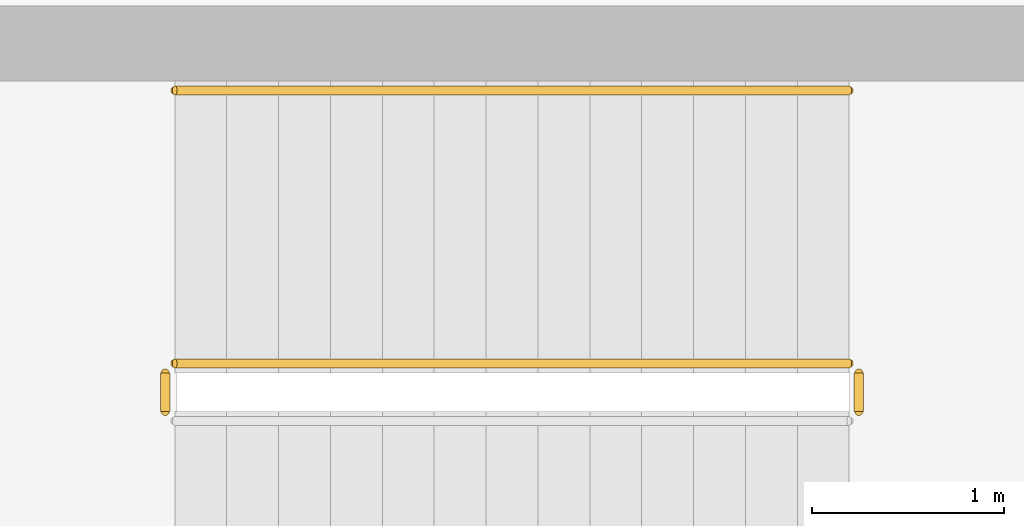
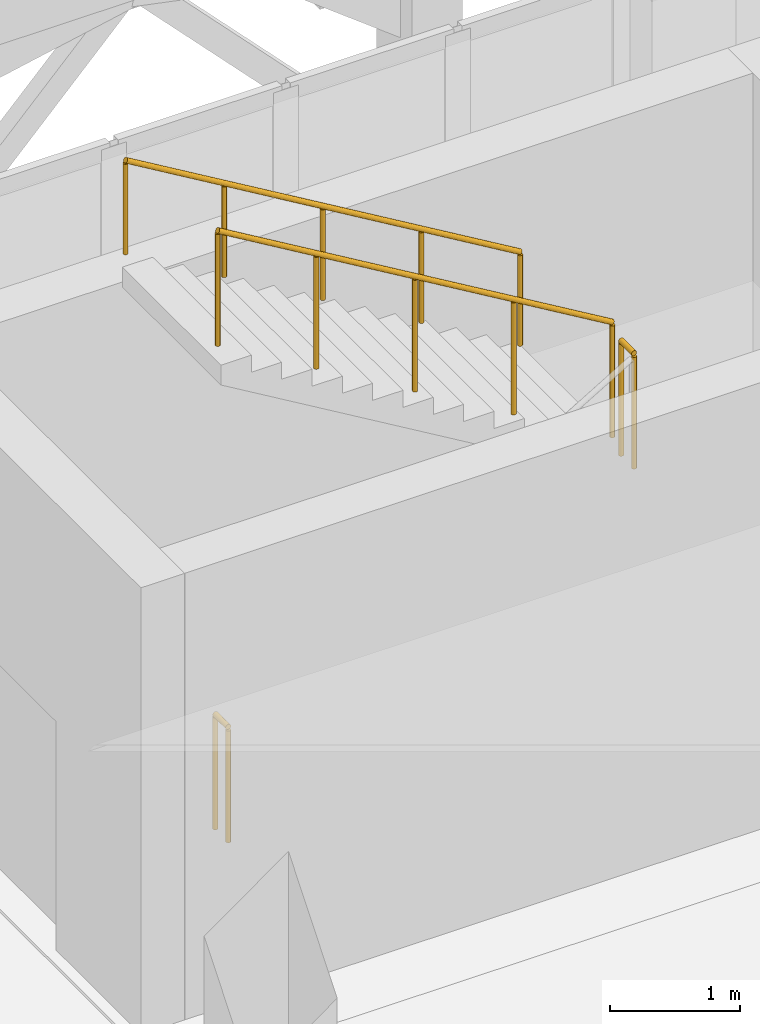
# One storey, part 32 of 34: 4 railings.
"""IFC4 building model written with IfcOpenShell, lengths in metres."""

from ifc_helpers import new_model, si_unit, direction, frame, origin, origin_2d, place, context, subcontext, project, spatial, circle, extrude, material, type_object, element, save


model = new_model("IFC4")

# Units and contexts
model_context = context("Model", 3, precision=1e-05, world=origin(), true_north=direction((0.0, 1.0)))
body_context = subcontext(model_context, "Body", "Model", "MODEL_VIEW")
ifc_project = project(units=[si_unit("LENGTHUNIT", "METRE"), si_unit("AREAUNIT", "SQUARE_METRE"), si_unit("VOLUMEUNIT", "CUBIC_METRE"), si_unit("PLANEANGLEUNIT", "RADIAN"), si_unit("MASSUNIT", "GRAM", prefix="KILO")], contexts=[model_context])

# Site, building, storey
site_placement = place(None, origin())
site = spatial("IfcSite", under=ifc_project, at=site_placement, CompositionType="ELEMENT")
building_placement = place(site_placement, origin())
building = spatial("IfcBuilding", under=site, at=building_placement, Name="Xazarin Passage Department Store", CompositionType="ELEMENT")
storey_placement = place(building_placement, frame((0.0, 0.0, 18.89990234375)))
storey = spatial("IfcBuildingStorey", under=building, at=storey_placement, Name="L04", CompositionType="ELEMENT", Elevation=18.89990234375)

# Railings
ifc_material = material(Name="Steel S355", Category="steel")
railing_type_1 = type_object("IfcRailingType", Name="ARC-RL-GRD112", PredefinedType="GUARDRAIL", material=ifc_material)
railing_1_placement = place(storey_placement, frame((30.800048828125, 105.699951171875, 2.25)))
element("IfcRailing", 1, at=railing_1_placement, inside=storey, type_object=railing_type_1, Name="L04 ST2 stair guard 2", PredefinedType="GUARDRAIL", context=body_context, shape_type="SweptSolid", body=[
    extrude(circle(Radius=0.02392578125, at=origin_2d()), frame((0.0, 0.0, 1.076171875), z_axis=(0.0, 1.0, 0.0), x_axis=(-1.0, 0.0, 0.0)), (0.0, 0.0, 1.0), 0.199951171875),
    extrude(circle(Radius=0.02099609375, at=origin_2d()), origin(), (0.0, 0.0, 1.0), 1.0517578125),
    extrude(circle(Radius=0.02099609375, at=origin_2d()), frame((0.0, 0.199951171875, 0.0)), (0.0, 0.0, 1.0), 1.0517578125),
])
railing_2_placement = place(storey_placement, frame((30.75, 105.949951171875, 2.410888671875)))
element("IfcRailing", 2, at=railing_2_placement, inside=storey, type_object=railing_type_1, Name="L04 ST2 stair guard 3", PredefinedType="GUARDRAIL", context=body_context, shape_type="SweptSolid", body=[
    extrude(circle(Radius=0.02392578125, at=origin_2d()), frame((0.0, 0.0, 1.076171875), z_axis=(-0.859312273368, 0.0, 0.511451284914), x_axis=(0.0, -1.0, 0.0)), (0.0, 0.0, 1.0), 4.084716796875),
    extrude(circle(Radius=0.02099609375, at=origin_2d()), origin(), (0.0, 0.0, 1.0), 1.0517578125),
    extrude(circle(Radius=0.02099609375, at=origin_2d()), frame((-0.87744140625, 0.0, 0.522216796875)), (0.0, 0.0, 1.0), 1.0517578125),
    extrude(circle(Radius=0.02099609375, at=origin_2d()), frame((-1.7548828125, 0.0, 1.04443359375)), (0.0, 0.0, 1.0), 1.0517578125),
    extrude(circle(Radius=0.02099609375, at=origin_2d()), frame((-2.632568359375, 0.0, 1.56689453125)), (0.0, 0.0, 1.0), 1.0517578125),
    extrude(circle(Radius=0.02099609375, at=origin_2d()), frame((-3.510009765625, 0.0, 2.089111328125)), (0.0, 0.0, 1.0), 1.0517578125),
])
railing_3_placement = place(storey_placement, frame((27.18994140625, 105.699951171875, 0.0)))
element("IfcRailing", 3, at=railing_3_placement, inside=storey, type_object=railing_type_1, Name="L04 ST2 stair guard 4", PredefinedType="GUARDRAIL", context=body_context, shape_type="SweptSolid", body=[
    extrude(circle(Radius=0.02392578125, at=origin_2d()), frame((0.0, 0.0, 1.076171875), z_axis=(0.0, 1.0, 0.0), x_axis=(-1.0, 0.0, 0.0)), (0.0, 0.0, 1.0), 0.199951171875),
    extrude(circle(Radius=0.02099609375, at=origin_2d()), origin(), (0.0, 0.0, 1.0), 1.0517578125),
    extrude(circle(Radius=0.02099609375, at=origin_2d()), frame((0.0, 0.199951171875, 0.0)), (0.0, 0.0, 1.0), 1.0517578125),
])
railing_type_2 = type_object("IfcRailingType", Name="ARC-RL-HND090", PredefinedType="HANDRAIL", material=ifc_material)
railing_4_placement = place(storey_placement, frame((30.75, 107.3701171875, 2.410888671875)))
element("IfcRailing", 4, at=railing_4_placement, inside=storey, type_object=railing_type_2, Name="L04 ST2 stair handrail 2", PredefinedType="HANDRAIL", context=body_context, shape_type="SweptSolid", body=[
    extrude(circle(Radius=0.02392578125, at=origin_2d()), frame((0.0, 0.0, 0.8759765625), z_axis=(-0.859312273368, 0.0, 0.511451284914), x_axis=(0.0, -1.0, 0.0)), (0.0, 0.0, 1.0), 4.084716796875),
    extrude(circle(Radius=0.02099609375, at=origin_2d()), origin(), (0.0, 0.0, 1.0), 0.8515625),
    extrude(circle(Radius=0.02099609375, at=origin_2d()), frame((-0.87744140625, 0.0, 0.522216796875)), (0.0, 0.0, 1.0), 0.8515625),
    extrude(circle(Radius=0.02099609375, at=origin_2d()), frame((-1.7548828125, 0.0, 1.04443359375)), (0.0, 0.0, 1.0), 0.8515625),
    extrude(circle(Radius=0.02099609375, at=origin_2d()), frame((-2.632568359375, 0.0, 1.56689453125)), (0.0, 0.0, 1.0), 0.8515625),
    extrude(circle(Radius=0.02099609375, at=origin_2d()), frame((-3.510009765625, 0.0, 2.089111328125)), (0.0, 0.0, 1.0), 0.8515625),
])

save(model, "model.ifc")
